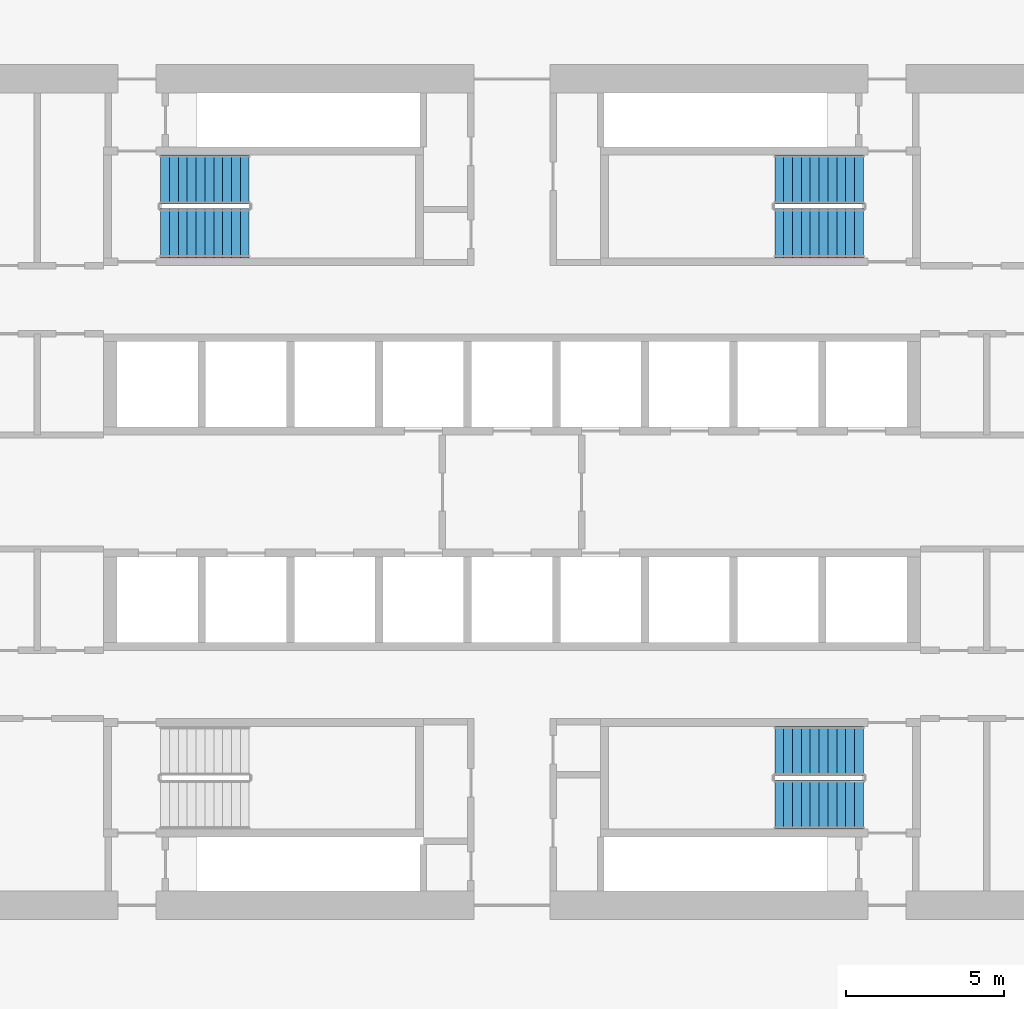
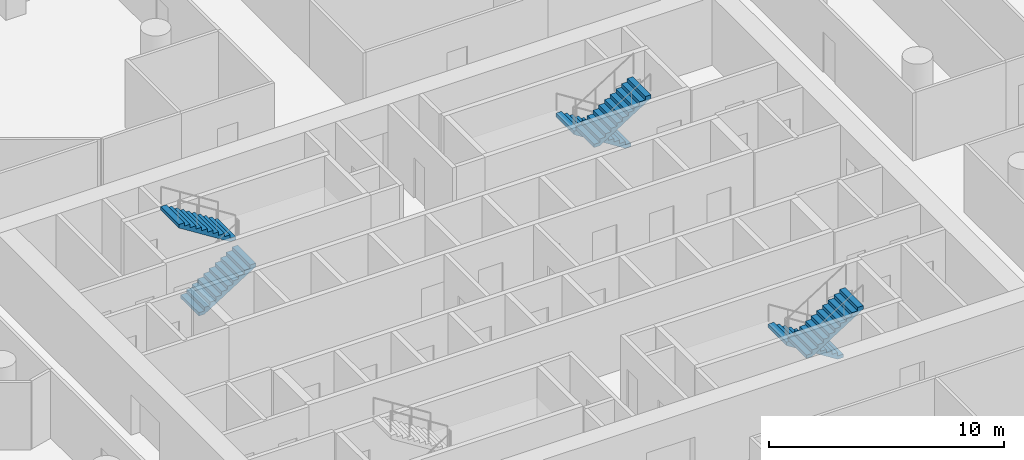
# One storey, part 9 of 18: 6 stair flights, 3 elements without a shape of their own.
"""IFC4 building model written with IfcOpenShell, lengths in metres."""

from ifc_helpers import new_model, si_unit, direction, frame, origin, place, context, subcontext, project, spatial, polyline, outline, extrude, material, type_object, element, aggregate, save


model = new_model("IFC4")

# Units and contexts
model_context = context("Model", 3, precision=1e-05, world=origin(), true_north=direction((0.0, 1.0)))
body_context = subcontext(model_context, "Body", "Model", "MODEL_VIEW")
ifc_project = project(units=[si_unit("LENGTHUNIT", "METRE"), si_unit("AREAUNIT", "SQUARE_METRE"), si_unit("VOLUMEUNIT", "CUBIC_METRE"), si_unit("PLANEANGLEUNIT", "RADIAN"), si_unit("MASSUNIT", "GRAM", prefix="KILO")], contexts=[model_context])

# Site, building, storey
site_placement = place(None, origin())
site = spatial("IfcSite", under=ifc_project, at=site_placement, CompositionType="ELEMENT")
building_placement = place(site_placement, origin())
building = spatial("IfcBuilding", under=site, at=building_placement, Name="Dhurran Vertical Campus", CompositionType="ELEMENT")
storey_placement = place(building_placement, frame((0.0, 0.0, 81.300048828125)))
storey = spatial("IfcBuildingStorey", under=building, at=storey_placement, Name="L19", CompositionType="ELEMENT", Elevation=81.300048828125)

# Stair, stair flights
ifc_material_1 = material(Name="Concrete C40/50", Category="concrete")
stair_type = type_object("IfcStairType", Name="co-ST-CORE", PredefinedType="HALF_TURN_STAIR", material=ifc_material_1)
stair_1_placement = place(storey_placement, origin())
stair_1 = element("IfcStair", 1, at=stair_1_placement, inside=storey, type_object=stair_type, Name="L19 Protected exit stair ST1", PredefinedType="HALF_TURN_STAIR")
ifc_material_2 = material(Name="Concrete C40/50", Category="concrete")
stair_flight_type = type_object("IfcStairFlightType", Name="co-SFL-RC", PredefinedType="STRAIGHT", material=ifc_material_2)
stair_flight_1_placement = place(storey_placement, frame((-11.10009765625, 8.175048828125, 0.0), z_axis=(0.0, 0.0, 1.0), x_axis=(1.0, 0.0, 0.0)))
stair_flight_1 = element("IfcStairFlight", 2, at=stair_flight_1_placement, type_object=stair_flight_type, Name="ST1 flight 1", NumberOfRisers=11, NumberOfTreads=10, PredefinedType="STRAIGHT", RiserHeight=0.177272727, TreadLength=0.28, context=body_context, shape_type="SweptSolid", body=[
    extrude(outline(polyline([(0.0, 0.0), (0.0, 0.17724609375), (0.280029296875, 0.17724609375), (0.280029296875, 0.3544921875), (0.56005859375, 0.3544921875), (0.56005859375, 0.53173828125), (0.840087890625, 0.53173828125), (0.840087890625, 0.708984375), (1.1201171875, 0.708984375), (1.1201171875, 0.886474609375), (1.39990234375, 0.886474609375), (1.39990234375, 1.063720703125), (1.679931640625, 1.063720703125), (1.679931640625, 1.240966796875), (1.9599609375, 1.240966796875), (1.9599609375, 1.418212890625), (2.239990234375, 1.418212890625), (2.239990234375, 1.595458984375), (2.52001953125, 1.595458984375), (2.52001953125, 1.772705078125), (2.800048828125, 1.772705078125), (2.800048828125, 1.949951171875), (2.800048828125, 1.59521484375), (0.2802734375, 0.0), (0.0, 0.0)])), frame((0.0, 0.77490234375, 0.0), z_axis=(0.0, -1.0, 0.0), x_axis=(1.0, 0.0, 0.0)), (0.0, 0.0, 1.0), 1.550048828125),
])
stair_flight_2_placement = place(storey_placement, frame((-8.300048828125, 9.875, 1.949951171875), z_axis=(0.0, 0.0, 1.0), x_axis=(-1.0, 0.0, 0.0)))
stair_flight_2 = element("IfcStairFlight", 3, at=stair_flight_2_placement, type_object=stair_flight_type, Name="ST1 flight 2", NumberOfRisers=11, NumberOfTreads=10, PredefinedType="STRAIGHT", RiserHeight=0.177272727, TreadLength=0.28, context=body_context, shape_type="SweptSolid", body=[
    extrude(outline(polyline([(0.0, 0.0), (0.0, 0.17724609375), (0.280029296875, 0.17724609375), (0.280029296875, 0.3544921875), (0.56005859375, 0.3544921875), (0.56005859375, 0.53173828125), (0.840087890625, 0.53173828125), (0.840087890625, 0.708984375), (1.1201171875, 0.708984375), (1.1201171875, 0.886474609375), (1.39990234375, 0.886474609375), (1.39990234375, 1.063720703125), (1.679931640625, 1.063720703125), (1.679931640625, 1.240966796875), (1.9599609375, 1.240966796875), (1.9599609375, 1.418212890625), (2.239990234375, 1.418212890625), (2.239990234375, 1.595458984375), (2.52001953125, 1.595458984375), (2.52001953125, 1.772705078125), (2.800048828125, 1.772705078125), (2.800048828125, 1.949951171875), (2.800048828125, 1.59521484375), (0.2802734375, 0.0), (0.0, 0.0)])), frame((0.0, 0.77490234375, 0.0), z_axis=(0.0, -1.0, 0.0), x_axis=(1.0, 0.0, 0.0)), (0.0, 0.0, 1.0), 1.550048828125),
])
aggregate(stair_1, [stair_flight_1, stair_flight_2])

stair_2_placement = place(storey_placement, origin())
stair_2 = element("IfcStair", 4, at=stair_2_placement, inside=storey, type_object=stair_type, Name="L19 Protected exit stair ST2", PredefinedType="HALF_TURN_STAIR")
stair_flight_3_placement = place(storey_placement, frame((11.10009765625, 9.875, 0.0), z_axis=(0.0, 0.0, 1.0), x_axis=(-1.0, 0.0, 0.0)))
stair_flight_3 = element("IfcStairFlight", 5, at=stair_flight_3_placement, type_object=stair_flight_type, Name="ST2 flight 1", NumberOfRisers=11, NumberOfTreads=10, PredefinedType="STRAIGHT", RiserHeight=0.177272727, TreadLength=0.28, context=body_context, shape_type="SweptSolid", body=[
    extrude(outline(polyline([(0.0, 0.0), (0.0, 0.17724609375), (0.280029296875, 0.17724609375), (0.280029296875, 0.3544921875), (0.56005859375, 0.3544921875), (0.56005859375, 0.53173828125), (0.840087890625, 0.53173828125), (0.840087890625, 0.708984375), (1.1201171875, 0.708984375), (1.1201171875, 0.886474609375), (1.39990234375, 0.886474609375), (1.39990234375, 1.063720703125), (1.679931640625, 1.063720703125), (1.679931640625, 1.240966796875), (1.9599609375, 1.240966796875), (1.9599609375, 1.418212890625), (2.239990234375, 1.418212890625), (2.239990234375, 1.595458984375), (2.52001953125, 1.595458984375), (2.52001953125, 1.772705078125), (2.800048828125, 1.772705078125), (2.800048828125, 1.949951171875), (2.800048828125, 1.59521484375), (0.2802734375, 0.0), (0.0, 0.0)])), frame((0.0, 0.77490234375, 0.0), z_axis=(0.0, -1.0, 0.0), x_axis=(1.0, 0.0, 0.0)), (0.0, 0.0, 1.0), 1.550048828125),
])
stair_flight_4_placement = place(storey_placement, frame((8.300048828125, 8.175048828125, 1.949951171875), z_axis=(0.0, 0.0, 1.0), x_axis=(1.0, 0.0, 0.0)))
stair_flight_4 = element("IfcStairFlight", 6, at=stair_flight_4_placement, type_object=stair_flight_type, Name="ST2 flight 2", NumberOfRisers=11, NumberOfTreads=10, PredefinedType="STRAIGHT", RiserHeight=0.177272727, TreadLength=0.28, context=body_context, shape_type="SweptSolid", body=[
    extrude(outline(polyline([(0.0, 0.0), (0.0, 0.17724609375), (0.280029296875, 0.17724609375), (0.280029296875, 0.3544921875), (0.56005859375, 0.3544921875), (0.56005859375, 0.53173828125), (0.840087890625, 0.53173828125), (0.840087890625, 0.708984375), (1.1201171875, 0.708984375), (1.1201171875, 0.886474609375), (1.39990234375, 0.886474609375), (1.39990234375, 1.063720703125), (1.679931640625, 1.063720703125), (1.679931640625, 1.240966796875), (1.9599609375, 1.240966796875), (1.9599609375, 1.418212890625), (2.239990234375, 1.418212890625), (2.239990234375, 1.595458984375), (2.52001953125, 1.595458984375), (2.52001953125, 1.772705078125), (2.800048828125, 1.772705078125), (2.800048828125, 1.949951171875), (2.800048828125, 1.59521484375), (0.2802734375, 0.0), (0.0, 0.0)])), frame((0.0, 0.77490234375, 0.0), z_axis=(0.0, -1.0, 0.0), x_axis=(1.0, 0.0, 0.0)), (0.0, 0.0, 1.0), 1.550048828125),
])
aggregate(stair_2, [stair_flight_3, stair_flight_4])

stair_3_placement = place(storey_placement, origin())
stair_3 = element("IfcStair", 7, at=stair_3_placement, inside=storey, type_object=stair_type, Name="L19 Protected exit stair ST4", PredefinedType="HALF_TURN_STAIR")
stair_flight_5_placement = place(storey_placement, frame((11.10009765625, -8.175048828125, 0.0), z_axis=(0.0, 0.0, 1.0), x_axis=(-1.0, 0.0, 0.0)))
stair_flight_5 = element("IfcStairFlight", 8, at=stair_flight_5_placement, type_object=stair_flight_type, Name="ST4 flight 1", NumberOfRisers=11, NumberOfTreads=10, PredefinedType="STRAIGHT", RiserHeight=0.177272727, TreadLength=0.28, context=body_context, shape_type="SweptSolid", body=[
    extrude(outline(polyline([(0.0, 0.0), (0.0, 0.17724609375), (0.280029296875, 0.17724609375), (0.280029296875, 0.3544921875), (0.56005859375, 0.3544921875), (0.56005859375, 0.53173828125), (0.840087890625, 0.53173828125), (0.840087890625, 0.708984375), (1.1201171875, 0.708984375), (1.1201171875, 0.886474609375), (1.39990234375, 0.886474609375), (1.39990234375, 1.063720703125), (1.679931640625, 1.063720703125), (1.679931640625, 1.240966796875), (1.9599609375, 1.240966796875), (1.9599609375, 1.418212890625), (2.239990234375, 1.418212890625), (2.239990234375, 1.595458984375), (2.52001953125, 1.595458984375), (2.52001953125, 1.772705078125), (2.800048828125, 1.772705078125), (2.800048828125, 1.949951171875), (2.800048828125, 1.59521484375), (0.2802734375, 0.0), (0.0, 0.0)])), frame((0.0, 0.77490234375, 0.0), z_axis=(0.0, -1.0, 0.0), x_axis=(1.0, 0.0, 0.0)), (0.0, 0.0, 1.0), 1.550048828125),
])
stair_flight_6_placement = place(storey_placement, frame((8.300048828125, -9.875, 1.949951171875), z_axis=(0.0, 0.0, 1.0), x_axis=(1.0, 0.0, 0.0)))
stair_flight_6 = element("IfcStairFlight", 9, at=stair_flight_6_placement, type_object=stair_flight_type, Name="ST4 flight 2", NumberOfRisers=11, NumberOfTreads=10, PredefinedType="STRAIGHT", RiserHeight=0.177272727, TreadLength=0.28, context=body_context, shape_type="SweptSolid", body=[
    extrude(outline(polyline([(0.0, 0.0), (0.0, 0.17724609375), (0.280029296875, 0.17724609375), (0.280029296875, 0.3544921875), (0.56005859375, 0.3544921875), (0.56005859375, 0.53173828125), (0.840087890625, 0.53173828125), (0.840087890625, 0.708984375), (1.1201171875, 0.708984375), (1.1201171875, 0.886474609375), (1.39990234375, 0.886474609375), (1.39990234375, 1.063720703125), (1.679931640625, 1.063720703125), (1.679931640625, 1.240966796875), (1.9599609375, 1.240966796875), (1.9599609375, 1.418212890625), (2.239990234375, 1.418212890625), (2.239990234375, 1.595458984375), (2.52001953125, 1.595458984375), (2.52001953125, 1.772705078125), (2.800048828125, 1.772705078125), (2.800048828125, 1.949951171875), (2.800048828125, 1.59521484375), (0.2802734375, 0.0), (0.0, 0.0)])), frame((0.0, 0.77490234375, 0.0), z_axis=(0.0, -1.0, 0.0), x_axis=(1.0, 0.0, 0.0)), (0.0, 0.0, 1.0), 1.550048828125),
])
aggregate(stair_3, [stair_flight_5, stair_flight_6])

save(model, "model.ifc")
